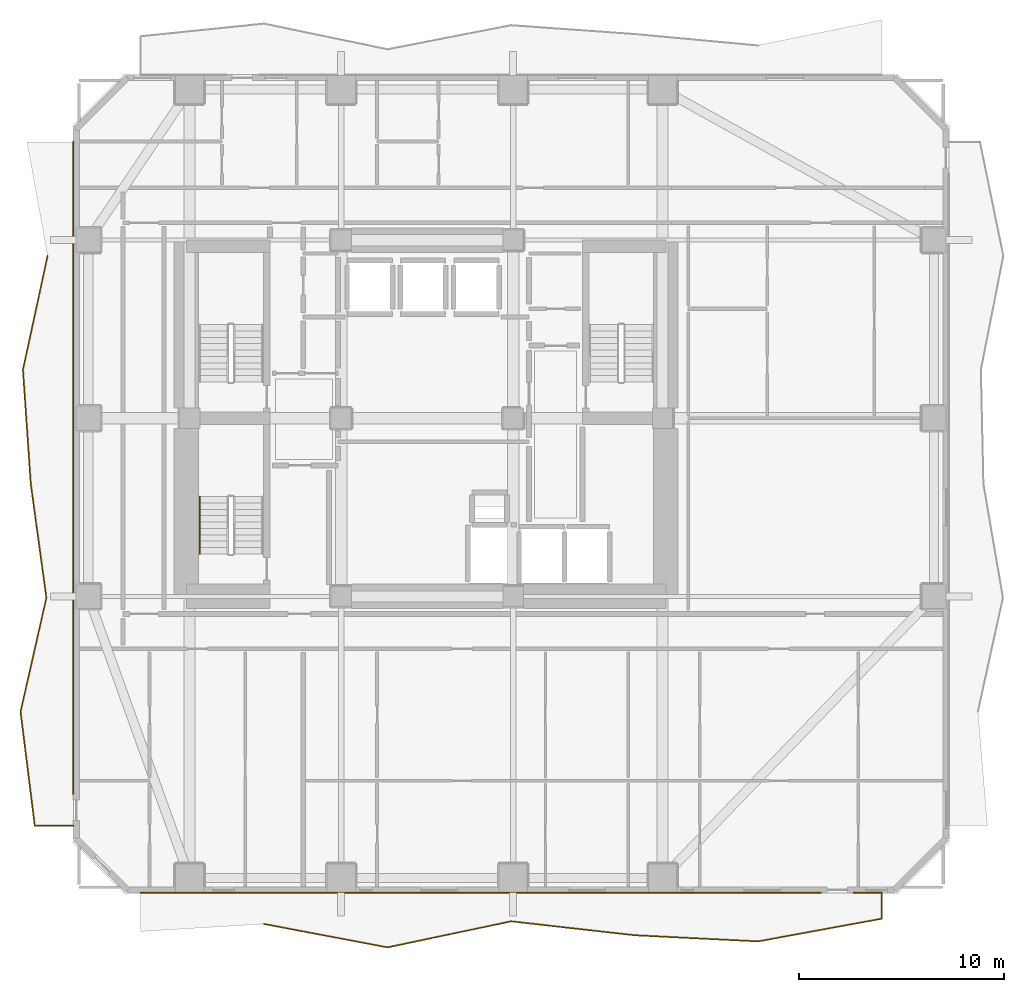
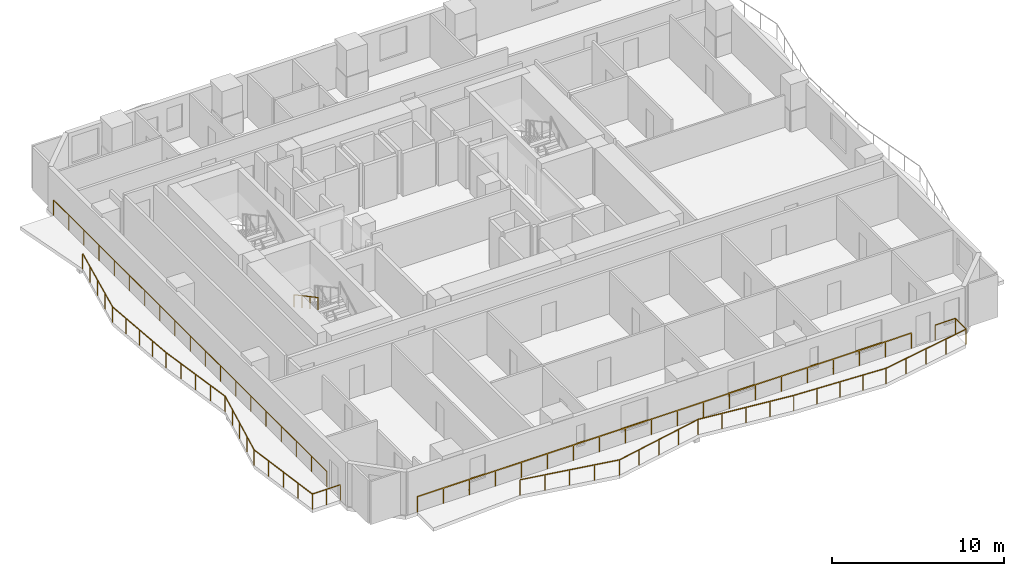
# One storey, part 8 of 10: 5 railings.
"""IFC4 building model written with IfcOpenShell, lengths in metres."""

import ifcopenshell
import ifcopenshell.guid

model = None  # the IFC model being written
_history = None  # IfcOwnerHistory: only IFC2X3 demands one
_inside = {}  # id of a spatial element -> (the spatial element, [elements in it])
_under = {}  # id of a project, library or spatial element -> (it, [spatial elements below it])
_declared = {}  # id of a project -> (the project, [libraries it declares])
_typed = {}  # id of a type object -> (the type object, [elements of that type])
_made_of = {}  # id of a material, layer set ... -> (it, [elements and type objects made of it])


def new_model(schema):
    """Start an empty IFC model of exactly this schema.

    Asked for "IFC4X3", IfcOpenShell would pick the latest addendum, in which some entities
    have other attributes; the version numbers below select the first issue.
    IFC2X3 requires an IfcOwnerHistory on every rooted entity: one is made here for all.
    """
    global model, _history
    if schema == "IFC4X3":
        model = ifcopenshell.file(schema_version=(4, 3, 0, 0))
    else:
        model = ifcopenshell.file(schema=schema)
    _inside.clear()
    _under.clear()
    _declared.clear()
    _typed.clear()
    _made_of.clear()
    _history = None
    if model.schema == "IFC2X3":
        org = make("IfcOrganization", Name="unknown")
        user = make(
            "IfcPersonAndOrganization",
            ThePerson=make("IfcPerson", FamilyName="unknown"),
            TheOrganization=org,
        )
        app = make(
            "IfcApplication",
            ApplicationDeveloper=org,
            Version="unknown",
            ApplicationFullName="unknown",
            ApplicationIdentifier="unknown",
        )
        _history = make(
            "IfcOwnerHistory",
            OwningUser=user,
            OwningApplication=app,
            ChangeAction="ADDED",
            CreationDate=0,
        )
    return model


def make(cls, **values):
    """One entity of the class cls with the attributes given. An attribute that is None is left unset."""
    return model.create_entity(
        cls, **{name: value for name, value in values.items() if value is not None}
    )


def rooted(cls, **values):
    """An entity with a GlobalId (a new one), such as an element, a storey or a relation."""
    return make(cls, GlobalId=ifcopenshell.guid.new(), OwnerHistory=_history, **values)


def si_unit(unit_type, name, prefix=None):
    """IfcSIUnit, for example si_unit("LENGTHUNIT", "METRE", prefix="MILLI")."""
    return make("IfcSIUnit", UnitType=unit_type, Prefix=prefix, Name=name)


def assignment(units):
    """IfcUnitAssignment: the units of a project."""
    return None if units is None else make("IfcUnitAssignment", Units=units)


def point(xyz):
    """IfcCartesianPoint."""
    return None if xyz is None else make("IfcCartesianPoint", Coordinates=xyz)


def direction(xyz):
    """IfcDirection."""
    return None if xyz is None else make("IfcDirection", DirectionRatios=xyz)


def frame(location, z_axis=None, x_axis=None):
    """IfcAxis2Placement3D, a coordinate frame: its origin and axes. An axis left out is left unset."""
    return make(
        "IfcAxis2Placement3D",
        Location=point(location),
        Axis=direction(z_axis),
        RefDirection=direction(x_axis),
    )


def frame_2d(location, x_axis=None):
    """IfcAxis2Placement2D, a coordinate frame in the plane: its origin and x axis."""
    return make(
        "IfcAxis2Placement2D", Location=point(location), RefDirection=direction(x_axis)
    )


def origin():
    """The frame at (0, 0, 0) with its axes left unset."""
    return frame((0.0, 0.0, 0.0))


def origin_2d():
    """The frame at (0, 0) in the plane with its x axis left unset."""
    return frame_2d((0.0, 0.0))


def place(relative_to, where):
    """IfcLocalPlacement: puts the frame where relative to a parent placement (None: the world)."""
    return make(
        "IfcLocalPlacement", PlacementRelTo=relative_to, RelativePlacement=where
    )


def context(
    kind, dimensions, precision=None, world=None, true_north=None, identifier=None
):
    """IfcGeometricRepresentationContext, for example the 3D "Model" context."""
    return make(
        "IfcGeometricRepresentationContext",
        ContextIdentifier=identifier,
        ContextType=kind,
        CoordinateSpaceDimension=dimensions,
        Precision=precision,
        WorldCoordinateSystem=world,
        TrueNorth=true_north,
    )


def subcontext(parent, identifier, kind, view, scale=None):
    """IfcGeometricRepresentationSubContext, for example "Body" below "Model"."""
    return make(
        "IfcGeometricRepresentationSubContext",
        ContextIdentifier=identifier,
        ContextType=kind,
        ParentContext=parent,
        TargetScale=scale,
        TargetView=view,
    )


def project(units=None, contexts=None):
    """IfcProject with its units and contexts."""
    return rooted(
        "IfcProject",
        Name="project",
        RepresentationContexts=contexts,
        UnitsInContext=assignment(units),
    )


def spatial(cls, under=None, at=None, **own):
    """A site, building, storey or space (cls), placed at a placement, below another one or the project."""
    s = rooted(cls, ObjectPlacement=at, **own)
    if under is not None:
        _under.setdefault(under.id(), (under, []))[1].append(s)
    return s


def profile(cls, at=None, kind="AREA", **sizes):
    """A parametric profile (cls). Its sizes go by their IFC names, for example OverallWidth=200.0."""
    return make(cls, ProfileType=kind, Position=at, **sizes)


def rectangle(**sizes):
    """IfcRectangleProfileDef."""
    return profile("IfcRectangleProfileDef", **sizes)


def extrude(swept, where, along, depth):
    """IfcExtrudedAreaSolid: the profile swept, set in the frame where, extruded along a direction by depth."""
    return make(
        "IfcExtrudedAreaSolid",
        SweptArea=swept,
        Position=where,
        ExtrudedDirection=direction(along),
        Depth=depth,
    )


def shape(context_of_items, identifier, shape_type, items):
    """IfcShapeRepresentation: the items that make up one representation, for example the "Body"."""
    return make(
        "IfcShapeRepresentation",
        ContextOfItems=context_of_items,
        RepresentationIdentifier=identifier,
        RepresentationType=shape_type,
        Items=items,
    )


def material(Name=None, Category=None):
    """IfcMaterial."""
    return make("IfcMaterial", Name=Name, Category=Category)


def made_of(thing, what):
    """Note that an element or type object is made of a material, layer set ...; save() writes the relation."""
    if what is not None:
        _made_of.setdefault(what.id(), (what, []))[1].append(thing)
    return thing


def type_object(cls, material=None, **own):
    """A type object (cls), such as IfcWallType, which elements share."""
    return made_of(rooted(cls, **own), material)


def element(
    cls,
    number,
    at=None,
    inside=None,
    cuts=None,
    type_object=None,
    material=None,
    context=None,
    identifier="Body",
    shape_type=None,
    held_by="IfcProductDefinitionShape",
    body=None,
    shapes=None,
    **own,
):
    """One element of the class cls, such as IfcWall. Its Tag is "e" and its number.

    at: its placement. inside: the storey or other place that contains it. cuts: it is an
    opening in that element (IfcRelVoidsElement). A single representation is given by context,
    identifier, shape_type and body (its items); several are given by shapes. held_by: the class
    of the entity that holds the representations. save() writes the other relations.
    """
    e = rooted(cls, Tag="e%d" % number, ObjectPlacement=at, **own)
    if body is not None:
        shapes = [shape(context, identifier, shape_type, body)]
    if shapes is not None:
        e.Representation = make(held_by, Representations=shapes)
    if inside is not None:
        _inside.setdefault(inside.id(), (inside, []))[1].append(e)
    if cuts is not None:
        rooted(
            "IfcRelVoidsElement", RelatingBuildingElement=cuts, RelatedOpeningElement=e
        )
    if type_object is not None:
        _typed.setdefault(type_object.id(), (type_object, []))[1].append(e)
    return made_of(e, material)


def aggregate(whole, parts):
    """IfcRelAggregates: a whole, such as a stair, and the parts it consists of."""
    return rooted("IfcRelAggregates", RelatingObject=whole, RelatedObjects=parts)


def save(model, path):
    """Write the relations noted so far, then the file.

    IfcRelAggregates (storeys below a building ...), IfcRelContainedInSpatialStructure (elements
    in a storey), IfcRelDefinesByType, IfcRelAssociatesMaterial and IfcRelDeclares: one each for
    every whole, place, type object, material and project.
    """
    for whole, parts in _under.values():
        aggregate(whole, parts)
    for where, things in _inside.values():
        rooted(
            "IfcRelContainedInSpatialStructure",
            RelatedElements=things,
            RelatingStructure=where,
        )
    for kind, things in _typed.values():
        rooted("IfcRelDefinesByType", RelatedObjects=things, RelatingType=kind)
    for what, things in _made_of.values():
        rooted("IfcRelAssociatesMaterial", RelatedObjects=things, RelatingMaterial=what)
    for by, libraries in _declared.values():
        rooted("IfcRelDeclares", RelatingContext=by, RelatedDefinitions=libraries)
    model.write(path)


model = new_model("IFC4")

# Units and contexts
model_context = context("Model", 3, precision=1e-05, world=origin(), true_north=direction((0.0, 1.0)))
body_context = subcontext(model_context, "Body", "Model", "MODEL_VIEW")
ifc_project = project(units=[si_unit("LENGTHUNIT", "METRE"), si_unit("AREAUNIT", "SQUARE_METRE"), si_unit("VOLUMEUNIT", "CUBIC_METRE"), si_unit("PLANEANGLEUNIT", "RADIAN"), si_unit("MASSUNIT", "GRAM", prefix="KILO")], contexts=[model_context])

# Site, building, storey
site_placement = place(None, origin())
site = spatial("IfcSite", under=ifc_project, at=site_placement, CompositionType="ELEMENT")
building_placement = place(site_placement, origin())
building = spatial("IfcBuilding", under=site, at=building_placement, Name="Solanera Arch Residences", CompositionType="ELEMENT")
storey_placement = place(building_placement, frame((0.0, 0.0, 48.56005859375)))
storey = spatial("IfcBuildingStorey", under=building, at=storey_placement, Name="L13", CompositionType="ELEMENT", Elevation=48.56005859375)

# Railings
ifc_material_1 = material(Name="Steel S355 (ASTM A992 / A572 Grade 50)", Category="steel")
railing_type_1 = type_object("IfcRailingType", Name="Balustrade Railing BL-1100", PredefinedType="BALUSTRADE", material=ifc_material_1)
railing_1_placement = place(storey_placement, frame((17.032958984375, 6.0, 0.0)))
element("IfcRailing", 1, at=railing_1_placement, inside=storey, type_object=railing_type_1, Name="L13 S Balcony Balustrade 1", PredefinedType="BALUSTRADE", context=body_context, shape_type="SweptSolid", body=[
    extrude(rectangle(XDim=0.048095703125, YDim=0.048095703125, at=origin_2d()), frame((0.0, 0.0, 1.09619140625), z_axis=(0.982496184627, -0.186282707714, 0.0), x_axis=(0.186282707714, 0.982496184627, 0.0)), (0.0, 0.0, 1.0), 6.141357421875),
    extrude(rectangle(XDim=0.048095703125, YDim=0.048095703125, at=origin_2d()), frame((6.033935546875, -1.14404296875, 1.09619140625), z_axis=(0.978458106431, 0.206445474544, 0.0), x_axis=(-0.206445474544, 0.978458106431, 0.0)), (0.0, 0.0, 1.0), 6.166015625),
    extrude(rectangle(XDim=0.048095703125, YDim=0.048095703125, at=origin_2d()), frame((12.067138671875, 0.12890625, 1.09619140625), z_axis=(0.993708903149, -0.111993820374, 0.0), x_axis=(0.111993820374, 0.993708903149, 0.0)), (0.0, 0.0, 1.0), 6.071044921875),
    extrude(rectangle(XDim=0.048095703125, YDim=0.048095703125, at=origin_2d()), frame((18.10009765625, -0.551025390625, 1.09619140625), z_axis=(0.998773911962, -0.049504270368, 0.0), x_axis=(0.049504270368, 0.998773911962, 0.0)), (0.0, 0.0, 1.0), 6.041259765625),
    extrude(rectangle(XDim=0.048095703125, YDim=0.048095703125, at=origin_2d()), frame((24.134033203125, -0.85009765625, 1.09619140625), z_axis=(0.983545434274, 0.180660949624, 0.0), x_axis=(-0.180660949624, 0.983545434274, 0.0)), (0.0, 0.0, 1.0), 6.1337890625),
    extrude(rectangle(XDim=0.048095703125, YDim=0.048095703125, at=origin_2d()), frame((30.1669921875, 0.258056640625, 1.09619140625), z_axis=(0.0, 1.0, 0.0), x_axis=(-1.0, 0.0, 0.0)), (0.0, 0.0, 1.0), 1.261962890625),
    extrude(rectangle(XDim=0.048095703125, YDim=0.048095703125, at=origin_2d()), frame((30.1669921875, 1.52001953125, 1.09619140625), z_axis=(-1.0, 0.0, 0.0), x_axis=(0.0, -1.0, 0.0)), (0.0, 0.0, 1.0), 1.365966796875),
    extrude(rectangle(XDim=0.0419921875, YDim=0.0419921875, at=origin_2d()), origin(), (0.0, 0.0, 1.0), 1.072021484375),
    extrude(rectangle(XDim=0.0419921875, YDim=0.0419921875, at=origin_2d()), frame((1.508544921875, -0.2861328125, 0.0)), (0.0, 0.0, 1.0), 1.072021484375),
    extrude(rectangle(XDim=0.0419921875, YDim=0.0419921875, at=origin_2d()), frame((3.01708984375, -0.572021484375, 0.0)), (0.0, 0.0, 1.0), 1.072021484375),
    extrude(rectangle(XDim=0.0419921875, YDim=0.0419921875, at=origin_2d()), frame((4.525390625, -0.85791015625, 0.0)), (0.0, 0.0, 1.0), 1.072021484375),
    extrude(rectangle(XDim=0.0419921875, YDim=0.0419921875, at=origin_2d()), frame((6.033935546875, -1.14404296875, 0.0)), (0.0, 0.0, 1.0), 1.072021484375),
    extrude(rectangle(XDim=0.0419921875, YDim=0.0419921875, at=origin_2d()), frame((7.542236328125, -0.82568359375, 0.0)), (0.0, 0.0, 1.0), 1.072021484375),
    extrude(rectangle(XDim=0.0419921875, YDim=0.0419921875, at=origin_2d()), frame((9.050537109375, -0.507568359375, 0.0)), (0.0, 0.0, 1.0), 1.072021484375),
    extrude(rectangle(XDim=0.0419921875, YDim=0.0419921875, at=origin_2d()), frame((10.558837890625, -0.189453125, 0.0)), (0.0, 0.0, 1.0), 1.072021484375),
    extrude(rectangle(XDim=0.0419921875, YDim=0.0419921875, at=origin_2d()), frame((12.067138671875, 0.12890625, 0.0)), (0.0, 0.0, 1.0), 1.072021484375),
    extrude(rectangle(XDim=0.0419921875, YDim=0.0419921875, at=origin_2d()), frame((13.575439453125, -0.041015625, 0.0)), (0.0, 0.0, 1.0), 1.072021484375),
    extrude(rectangle(XDim=0.0419921875, YDim=0.0419921875, at=origin_2d()), frame((15.08349609375, -0.2109375, 0.0)), (0.0, 0.0, 1.0), 1.072021484375),
    extrude(rectangle(XDim=0.0419921875, YDim=0.0419921875, at=origin_2d()), frame((16.591796875, -0.381103515625, 0.0)), (0.0, 0.0, 1.0), 1.072021484375),
    extrude(rectangle(XDim=0.0419921875, YDim=0.0419921875, at=origin_2d()), frame((18.10009765625, -0.551025390625, 0.0)), (0.0, 0.0, 1.0), 1.072021484375),
    extrude(rectangle(XDim=0.0419921875, YDim=0.0419921875, at=origin_2d()), frame((19.608642578125, -0.625732421875, 0.0)), (0.0, 0.0, 1.0), 1.072021484375),
    extrude(rectangle(XDim=0.0419921875, YDim=0.0419921875, at=origin_2d()), frame((21.1171875, -0.70068359375, 0.0)), (0.0, 0.0, 1.0), 1.072021484375),
    extrude(rectangle(XDim=0.0419921875, YDim=0.0419921875, at=origin_2d()), frame((22.62548828125, -0.775390625, 0.0)), (0.0, 0.0, 1.0), 1.072021484375),
    extrude(rectangle(XDim=0.0419921875, YDim=0.0419921875, at=origin_2d()), frame((24.134033203125, -0.85009765625, 0.0)), (0.0, 0.0, 1.0), 1.072021484375),
    extrude(rectangle(XDim=0.0419921875, YDim=0.0419921875, at=origin_2d()), frame((25.642333984375, -0.572998046875, 0.0)), (0.0, 0.0, 1.0), 1.072021484375),
    extrude(rectangle(XDim=0.0419921875, YDim=0.0419921875, at=origin_2d()), frame((27.150390625, -0.2958984375, 0.0)), (0.0, 0.0, 1.0), 1.072021484375),
    extrude(rectangle(XDim=0.0419921875, YDim=0.0419921875, at=origin_2d()), frame((28.65869140625, -0.01904296875, 0.0)), (0.0, 0.0, 1.0), 1.072021484375),
    extrude(rectangle(XDim=0.0419921875, YDim=0.0419921875, at=origin_2d()), frame((30.1669921875, 0.258056640625, 0.0)), (0.0, 0.0, 1.0), 1.072021484375),
    extrude(rectangle(XDim=0.0419921875, YDim=0.0419921875, at=origin_2d()), frame((30.1669921875, 1.52001953125, 0.0)), (0.0, 0.0, 1.0), 1.072021484375),
    extrude(rectangle(XDim=0.0419921875, YDim=0.0419921875, at=origin_2d()), frame((28.801025390625, 1.52001953125, 0.0)), (0.0, 0.0, 1.0), 1.072021484375),
])
railing_2_placement = place(storey_placement, frame((44.23388671875, 7.52001953125, 0.0)))
element("IfcRailing", 2, at=railing_2_placement, inside=storey, type_object=railing_type_1, Name="L13 S Balcony Balustrade 2", PredefinedType="BALUSTRADE", context=body_context, shape_type="SweptSolid", body=[
    extrude(rectangle(XDim=0.048095703125, YDim=0.048095703125, at=origin_2d()), frame((0.0, 0.0, 1.09619140625), z_axis=(-1.0, 0.0, 0.0), x_axis=(0.0, -1.0, 0.0)), (0.0, 0.0, 1.0), 33.23388671875),
    extrude(rectangle(XDim=0.0419921875, YDim=0.0419921875, at=origin_2d()), origin(), (0.0, 0.0, 1.0), 1.072021484375),
    extrude(rectangle(XDim=0.0419921875, YDim=0.0419921875, at=origin_2d()), frame((-1.749267578125, 0.0, 0.0)), (0.0, 0.0, 1.0), 1.072021484375),
    extrude(rectangle(XDim=0.0419921875, YDim=0.0419921875, at=origin_2d()), frame((-3.498291015625, 0.0, 0.0)), (0.0, 0.0, 1.0), 1.072021484375),
    extrude(rectangle(XDim=0.0419921875, YDim=0.0419921875, at=origin_2d()), frame((-5.24755859375, 0.0, 0.0)), (0.0, 0.0, 1.0), 1.072021484375),
    extrude(rectangle(XDim=0.0419921875, YDim=0.0419921875, at=origin_2d()), frame((-6.99658203125, 0.0, 0.0)), (0.0, 0.0, 1.0), 1.072021484375),
    extrude(rectangle(XDim=0.0419921875, YDim=0.0419921875, at=origin_2d()), frame((-8.745849609375, 0.0, 0.0)), (0.0, 0.0, 1.0), 1.072021484375),
    extrude(rectangle(XDim=0.0419921875, YDim=0.0419921875, at=origin_2d()), frame((-10.494873046875, 0.0, 0.0)), (0.0, 0.0, 1.0), 1.072021484375),
    extrude(rectangle(XDim=0.0419921875, YDim=0.0419921875, at=origin_2d()), frame((-12.244140625, 0.0, 0.0)), (0.0, 0.0, 1.0), 1.072021484375),
    extrude(rectangle(XDim=0.0419921875, YDim=0.0419921875, at=origin_2d()), frame((-13.9931640625, 0.0, 0.0)), (0.0, 0.0, 1.0), 1.072021484375),
    extrude(rectangle(XDim=0.0419921875, YDim=0.0419921875, at=origin_2d()), frame((-15.742431640625, 0.0, 0.0)), (0.0, 0.0, 1.0), 1.072021484375),
    extrude(rectangle(XDim=0.0419921875, YDim=0.0419921875, at=origin_2d()), frame((-17.491455078125, 0.0, 0.0)), (0.0, 0.0, 1.0), 1.072021484375),
    extrude(rectangle(XDim=0.0419921875, YDim=0.0419921875, at=origin_2d()), frame((-19.24072265625, 0.0, 0.0)), (0.0, 0.0, 1.0), 1.072021484375),
    extrude(rectangle(XDim=0.0419921875, YDim=0.0419921875, at=origin_2d()), frame((-20.98974609375, 0.0, 0.0)), (0.0, 0.0, 1.0), 1.072021484375),
    extrude(rectangle(XDim=0.0419921875, YDim=0.0419921875, at=origin_2d()), frame((-22.739013671875, 0.0, 0.0)), (0.0, 0.0, 1.0), 1.072021484375),
    extrude(rectangle(XDim=0.0419921875, YDim=0.0419921875, at=origin_2d()), frame((-24.488037109375, 0.0, 0.0)), (0.0, 0.0, 1.0), 1.072021484375),
    extrude(rectangle(XDim=0.0419921875, YDim=0.0419921875, at=origin_2d()), frame((-26.2373046875, 0.0, 0.0)), (0.0, 0.0, 1.0), 1.072021484375),
    extrude(rectangle(XDim=0.0419921875, YDim=0.0419921875, at=origin_2d()), frame((-27.986328125, 0.0, 0.0)), (0.0, 0.0, 1.0), 1.072021484375),
    extrude(rectangle(XDim=0.0419921875, YDim=0.0419921875, at=origin_2d()), frame((-29.735595703125, 0.0, 0.0)), (0.0, 0.0, 1.0), 1.072021484375),
    extrude(rectangle(XDim=0.0419921875, YDim=0.0419921875, at=origin_2d()), frame((-31.484619140625, 0.0, 0.0)), (0.0, 0.0, 1.0), 1.072021484375),
    extrude(rectangle(XDim=0.0419921875, YDim=0.0419921875, at=origin_2d()), frame((-33.23388671875, 0.0, 0.0)), (0.0, 0.0, 1.0), 1.072021484375),
])
railing_3_placement = place(storey_placement, frame((6.4599609375, 38.633056640625, 0.0)))
element("IfcRailing", 3, at=railing_3_placement, inside=storey, type_object=railing_type_1, Name="L13 W Balcony Balustrade 1", PredefinedType="BALUSTRADE", context=body_context, shape_type="SweptSolid", body=[
    extrude(rectangle(XDim=0.048095703125, YDim=0.048095703125, at=origin_2d()), frame((0.0, 0.0, 1.09619140625), z_axis=(-0.211065999893, -0.977471812222, 0.0), x_axis=(0.977471812222, -0.211065999893, 0.0)), (0.0, 0.0, 1.0), 5.6943359375),
    extrude(rectangle(XDim=0.048095703125, YDim=0.048095703125, at=origin_2d()), frame((-1.201904296875, -5.566162109375, 1.09619140625), z_axis=(0.068429694411, -0.997655941155, 0.0), x_axis=(0.997655941155, 0.068429694411, 0.0)), (0.0, 0.0, 1.0), 5.580078125),
    extrude(rectangle(XDim=0.048095703125, YDim=0.048095703125, at=origin_2d()), frame((-0.820068359375, -11.133056640625, 1.09619140625), z_axis=(0.135438952985, -0.990785693283, 0.0), x_axis=(0.990785693283, 0.135438952985, 0.0)), (0.0, 0.0, 1.0), 5.61865234375),
    extrude(rectangle(XDim=0.048095703125, YDim=0.048095703125, at=origin_2d()), frame((-0.05908203125, -16.699951171875, 1.09619140625), z_axis=(-0.220742729205, -0.975332070376, 0.0), x_axis=(0.975332070376, -0.220742729205, 0.0)), (0.0, 0.0, 1.0), 5.70703125),
    extrude(rectangle(XDim=0.048095703125, YDim=0.048095703125, at=origin_2d()), frame((-1.31884765625, -22.26611328125, 1.09619140625), z_axis=(0.123509798915, -0.992343352662, 0.0), x_axis=(0.992343352662, 0.123509798915, 0.0)), (0.0, 0.0, 1.0), 5.60986328125),
    extrude(rectangle(XDim=0.048095703125, YDim=0.048095703125, at=origin_2d()), frame((-0.6259765625, -27.8330078125, 1.09619140625), z_axis=(1.0, 0.0, 0.0), x_axis=(0.0, 1.0, 0.0)), (0.0, 0.0, 1.0), 1.885986328125),
    extrude(rectangle(XDim=0.0419921875, YDim=0.0419921875, at=origin_2d()), origin(), (0.0, 0.0, 1.0), 1.072021484375),
    extrude(rectangle(XDim=0.0419921875, YDim=0.0419921875, at=origin_2d()), frame((-0.300537109375, -1.3916015625, 0.0)), (0.0, 0.0, 1.0), 1.072021484375),
    extrude(rectangle(XDim=0.0419921875, YDim=0.0419921875, at=origin_2d()), frame((-0.60107421875, -2.783203125, 0.0)), (0.0, 0.0, 1.0), 1.072021484375),
    extrude(rectangle(XDim=0.0419921875, YDim=0.0419921875, at=origin_2d()), frame((-0.9013671875, -4.174560546875, 0.0)), (0.0, 0.0, 1.0), 1.072021484375),
    extrude(rectangle(XDim=0.0419921875, YDim=0.0419921875, at=origin_2d()), frame((-1.201904296875, -5.566162109375, 0.0)), (0.0, 0.0, 1.0), 1.072021484375),
    extrude(rectangle(XDim=0.0419921875, YDim=0.0419921875, at=origin_2d()), frame((-1.1064453125, -6.9580078125, 0.0)), (0.0, 0.0, 1.0), 1.072021484375),
    extrude(rectangle(XDim=0.0419921875, YDim=0.0419921875, at=origin_2d()), frame((-1.010986328125, -8.349609375, 0.0)), (0.0, 0.0, 1.0), 1.072021484375),
    extrude(rectangle(XDim=0.0419921875, YDim=0.0419921875, at=origin_2d()), frame((-0.91552734375, -9.7412109375, 0.0)), (0.0, 0.0, 1.0), 1.072021484375),
    extrude(rectangle(XDim=0.0419921875, YDim=0.0419921875, at=origin_2d()), frame((-0.820068359375, -11.133056640625, 0.0)), (0.0, 0.0, 1.0), 1.072021484375),
    extrude(rectangle(XDim=0.0419921875, YDim=0.0419921875, at=origin_2d()), frame((-0.6298828125, -12.52490234375, 0.0)), (0.0, 0.0, 1.0), 1.072021484375),
    extrude(rectangle(XDim=0.0419921875, YDim=0.0419921875, at=origin_2d()), frame((-0.439453125, -13.91650390625, 0.0)), (0.0, 0.0, 1.0), 1.072021484375),
    extrude(rectangle(XDim=0.0419921875, YDim=0.0419921875, at=origin_2d()), frame((-0.249267578125, -15.30810546875, 0.0)), (0.0, 0.0, 1.0), 1.072021484375),
    extrude(rectangle(XDim=0.0419921875, YDim=0.0419921875, at=origin_2d()), frame((-0.05908203125, -16.699951171875, 0.0)), (0.0, 0.0, 1.0), 1.072021484375),
    extrude(rectangle(XDim=0.0419921875, YDim=0.0419921875, at=origin_2d()), frame((-0.3740234375, -18.091552734375, 0.0)), (0.0, 0.0, 1.0), 1.072021484375),
    extrude(rectangle(XDim=0.0419921875, YDim=0.0419921875, at=origin_2d()), frame((-0.68896484375, -19.48291015625, 0.0)), (0.0, 0.0, 1.0), 1.072021484375),
    extrude(rectangle(XDim=0.0419921875, YDim=0.0419921875, at=origin_2d()), frame((-1.00390625, -20.87451171875, 0.0)), (0.0, 0.0, 1.0), 1.072021484375),
    extrude(rectangle(XDim=0.0419921875, YDim=0.0419921875, at=origin_2d()), frame((-1.31884765625, -22.26611328125, 0.0)), (0.0, 0.0, 1.0), 1.072021484375),
    extrude(rectangle(XDim=0.0419921875, YDim=0.0419921875, at=origin_2d()), frame((-1.1455078125, -23.65771484375, 0.0)), (0.0, 0.0, 1.0), 1.072021484375),
    extrude(rectangle(XDim=0.0419921875, YDim=0.0419921875, at=origin_2d()), frame((-0.972412109375, -25.049560546875, 0.0)), (0.0, 0.0, 1.0), 1.072021484375),
    extrude(rectangle(XDim=0.0419921875, YDim=0.0419921875, at=origin_2d()), frame((-0.79931640625, -26.44140625, 0.0)), (0.0, 0.0, 1.0), 1.072021484375),
    extrude(rectangle(XDim=0.0419921875, YDim=0.0419921875, at=origin_2d()), frame((-0.6259765625, -27.8330078125, 0.0)), (0.0, 0.0, 1.0), 1.072021484375),
    extrude(rectangle(XDim=0.0419921875, YDim=0.0419921875, at=origin_2d()), frame((0.31689453125, -27.8330078125, 0.0)), (0.0, 0.0, 1.0), 1.072021484375),
    extrude(rectangle(XDim=0.0419921875, YDim=0.0419921875, at=origin_2d()), frame((1.260009765625, -27.8330078125, 0.0)), (0.0, 0.0, 1.0), 1.072021484375),
])
railing_4_placement = place(storey_placement, frame((7.719970703125, 12.365966796875, 0.0)))
element("IfcRailing", 4, at=railing_4_placement, inside=storey, type_object=railing_type_1, Name="L13 W Balcony Balustrade 2", PredefinedType="BALUSTRADE", context=body_context, shape_type="SweptSolid", body=[
    extrude(rectangle(XDim=0.048095703125, YDim=0.048095703125, at=origin_2d()), frame((0.0, 0.0, 1.09619140625), z_axis=(0.0, 1.0, 0.0), x_axis=(-1.0, 0.0, 0.0)), (0.0, 0.0, 1.0), 31.833984375),
    extrude(rectangle(XDim=0.0419921875, YDim=0.0419921875, at=origin_2d()), origin(), (0.0, 0.0, 1.0), 1.072021484375),
    extrude(rectangle(XDim=0.0419921875, YDim=0.0419921875, at=origin_2d()), frame((0.0, 1.7685546875, 0.0)), (0.0, 0.0, 1.0), 1.072021484375),
    extrude(rectangle(XDim=0.0419921875, YDim=0.0419921875, at=origin_2d()), frame((0.0, 3.537109375, 0.0)), (0.0, 0.0, 1.0), 1.072021484375),
    extrude(rectangle(XDim=0.0419921875, YDim=0.0419921875, at=origin_2d()), frame((0.0, 5.3056640625, 0.0)), (0.0, 0.0, 1.0), 1.072021484375),
    extrude(rectangle(XDim=0.0419921875, YDim=0.0419921875, at=origin_2d()), frame((0.0, 7.07421875, 0.0)), (0.0, 0.0, 1.0), 1.072021484375),
    extrude(rectangle(XDim=0.0419921875, YDim=0.0419921875, at=origin_2d()), frame((0.0, 8.8427734375, 0.0)), (0.0, 0.0, 1.0), 1.072021484375),
    extrude(rectangle(XDim=0.0419921875, YDim=0.0419921875, at=origin_2d()), frame((0.0, 10.611328125, 0.0)), (0.0, 0.0, 1.0), 1.072021484375),
    extrude(rectangle(XDim=0.0419921875, YDim=0.0419921875, at=origin_2d()), frame((0.0, 12.3798828125, 0.0)), (0.0, 0.0, 1.0), 1.072021484375),
    extrude(rectangle(XDim=0.0419921875, YDim=0.0419921875, at=origin_2d()), frame((0.0, 14.1484375, 0.0)), (0.0, 0.0, 1.0), 1.072021484375),
    extrude(rectangle(XDim=0.0419921875, YDim=0.0419921875, at=origin_2d()), frame((0.0, 15.9169921875, 0.0)), (0.0, 0.0, 1.0), 1.072021484375),
    extrude(rectangle(XDim=0.0419921875, YDim=0.0419921875, at=origin_2d()), frame((0.0, 17.685546875, 0.0)), (0.0, 0.0, 1.0), 1.072021484375),
    extrude(rectangle(XDim=0.0419921875, YDim=0.0419921875, at=origin_2d()), frame((0.0, 19.4541015625, 0.0)), (0.0, 0.0, 1.0), 1.072021484375),
    extrude(rectangle(XDim=0.0419921875, YDim=0.0419921875, at=origin_2d()), frame((0.0, 21.22265625, 0.0)), (0.0, 0.0, 1.0), 1.072021484375),
    extrude(rectangle(XDim=0.0419921875, YDim=0.0419921875, at=origin_2d()), frame((0.0, 22.9912109375, 0.0)), (0.0, 0.0, 1.0), 1.072021484375),
    extrude(rectangle(XDim=0.0419921875, YDim=0.0419921875, at=origin_2d()), frame((0.0, 24.759765625, 0.0)), (0.0, 0.0, 1.0), 1.072021484375),
    extrude(rectangle(XDim=0.0419921875, YDim=0.0419921875, at=origin_2d()), frame((0.0, 26.5283203125, 0.0)), (0.0, 0.0, 1.0), 1.072021484375),
    extrude(rectangle(XDim=0.0419921875, YDim=0.0419921875, at=origin_2d()), frame((0.0, 28.296875, 0.0)), (0.0, 0.0, 1.0), 1.072021484375),
    extrude(rectangle(XDim=0.0419921875, YDim=0.0419921875, at=origin_2d()), frame((0.0, 30.0654296875, 0.0)), (0.0, 0.0, 1.0), 1.072021484375),
    extrude(rectangle(XDim=0.0419921875, YDim=0.0419921875, at=origin_2d()), frame((0.0, 31.833984375, 0.0)), (0.0, 0.0, 1.0), 1.072021484375),
])
ifc_material_2 = material(Name="Steel S355 (ASTM A992 / A572 Grade 50)", Category="steel")
railing_type_2 = type_object("IfcRailingType", Name="Stair Wall Handrail HR-920", PredefinedType="HANDRAIL", material=ifc_material_2)
railing_5_placement = place(storey_placement, frame((13.889892578125, 26.8701171875, 1.825927734375)))
element("IfcRailing", 5, at=railing_5_placement, inside=storey, type_object=railing_type_2, Name="L13 ST-T3 stair handrail 2", PredefinedType="HANDRAIL", context=body_context, shape_type="SweptSolid", body=[
    extrude(rectangle(XDim=0.048095703125, YDim=0.048095703125, at=origin_2d()), frame((0.0, 0.0, 0.8759765625), z_axis=(0.0, -0.881580869306, 0.472033018838), x_axis=(1.0, 0.0, 0.0)), (0.0, 0.0, 1.0), 3.164794921875),
    extrude(rectangle(XDim=0.0419921875, YDim=0.0419921875, at=origin_2d()), origin(), (0.0, 0.0, 1.0), 0.851806640625),
    extrude(rectangle(XDim=0.0419921875, YDim=0.0419921875, at=origin_2d()), frame((0.0, -0.929931640625, 0.498046875)), (0.0, 0.0, 1.0), 0.851806640625),
    extrude(rectangle(XDim=0.0419921875, YDim=0.0419921875, at=origin_2d()), frame((0.0, -1.860107421875, 0.995849609375)), (0.0, 0.0, 1.0), 0.851806640625),
    extrude(rectangle(XDim=0.0419921875, YDim=0.0419921875, at=origin_2d()), frame((0.0, -2.7900390625, 1.493896484375)), (0.0, 0.0, 1.0), 0.851806640625),
])

save(model, "model.ifc")
